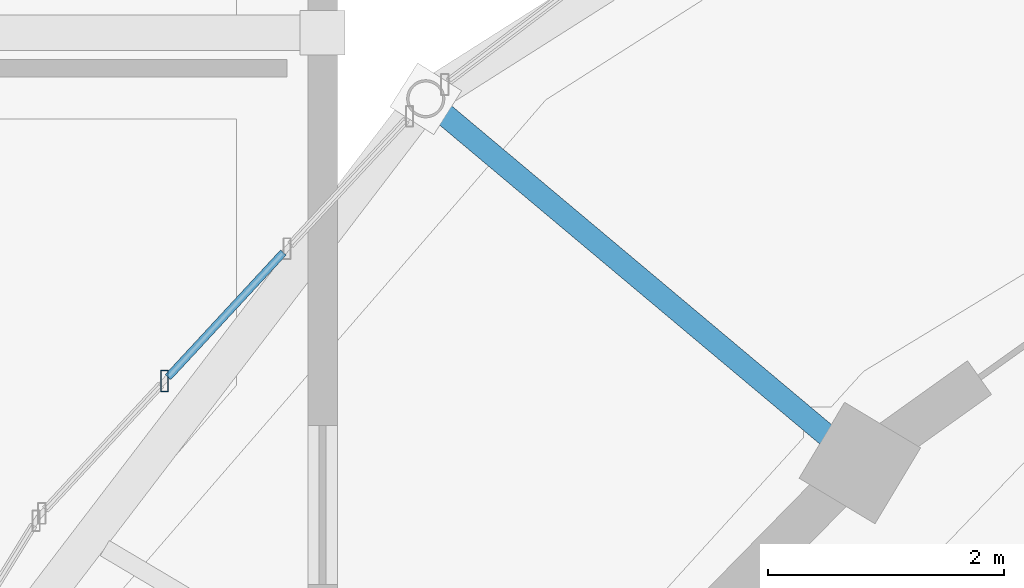
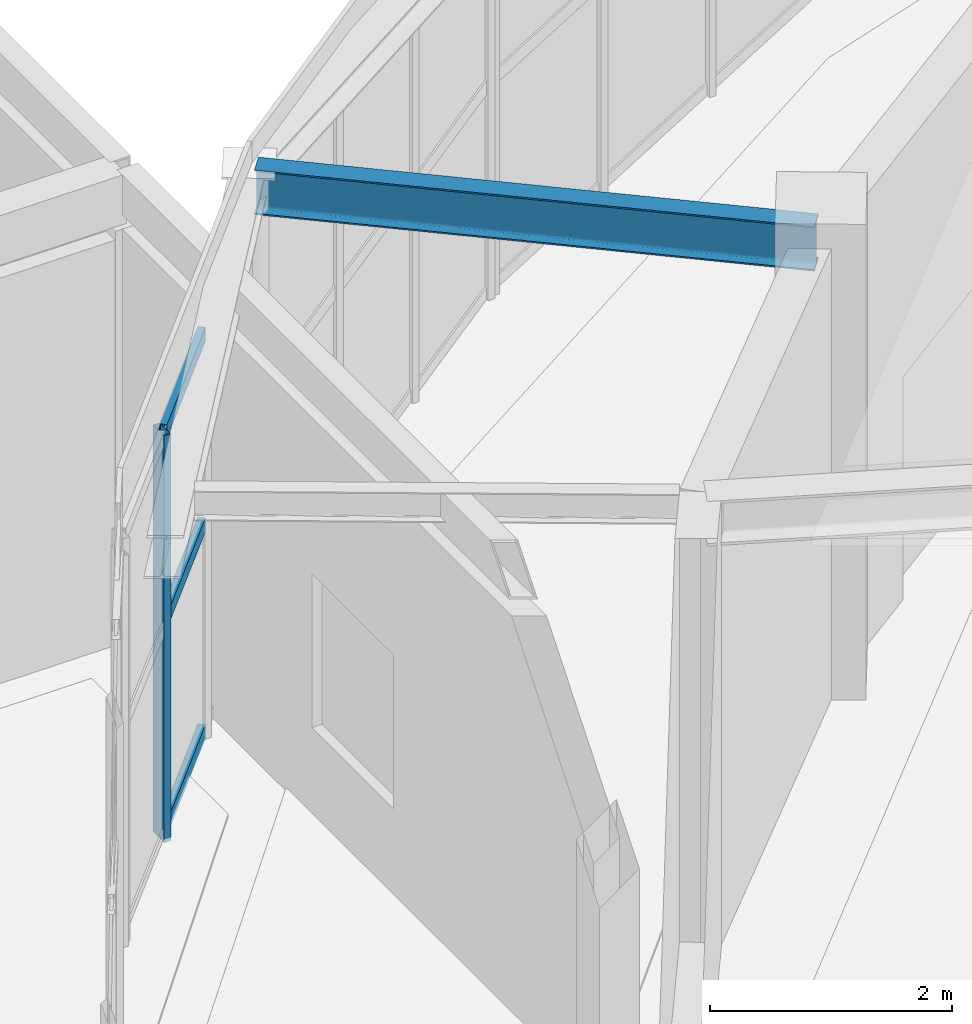
# One storey, part 36 of 108: 4 members, 1 beam, 1 element without a shape of its own.
"""IFC4 building model written with IfcOpenShell, lengths in metres."""

from ifc_helpers import new_model, si_unit, direction, frame, origin, origin_2d, place, context, subcontext, project, spatial, hollow_rectangle, i_section, extrude, material, material_profile, profile_set, type_object, element, aggregate, save


model = new_model("IFC4")

# Units and contexts
model_context = context("Model", 3, precision=1e-05, world=origin(), true_north=direction((0.0, 1.0)))
body_context = subcontext(model_context, "Body", "Model", "MODEL_VIEW")
ifc_project = project(units=[si_unit("LENGTHUNIT", "METRE"), si_unit("AREAUNIT", "SQUARE_METRE"), si_unit("VOLUMEUNIT", "CUBIC_METRE"), si_unit("PLANEANGLEUNIT", "RADIAN"), si_unit("MASSUNIT", "GRAM", prefix="KILO")], contexts=[model_context])

# Site, building, storey
site_placement = place(None, origin())
site = spatial("IfcSite", under=ifc_project, at=site_placement, CompositionType="ELEMENT")
building_placement = place(site_placement, origin())
building = spatial("IfcBuilding", under=site, at=building_placement, Name="Tarnveldt Headland Concert Hall", CompositionType="ELEMENT")
storey_placement = place(building_placement, frame((0.0, 0.0, 9.60009765625)))
storey = spatial("IfcBuildingStorey", under=building, at=storey_placement, Name="L02", CompositionType="ELEMENT", Elevation=9.60009765625)

# Curtain wall, member
ifc_material_1 = material(Name="Marine-anodised aluminium EN AW-6063-T6", Category="aluminium")
curtain_wall_type = type_object("IfcCurtainWallType", Name="CW-F3", PredefinedType="NOTDEFINED", material=ifc_material_1)
curtain_wall_placement = place(storey_placement, origin())
curtain_wall = element("IfcCurtainWall", 1, at=curtain_wall_placement, inside=storey, type_object=curtain_wall_type, Name="Curtain wall CW-L02-074", PredefinedType="NOTDEFINED")
ifc_material_profile_1 = material_profile(ifc_material_1, hollow_rectangle(XDim=0.06494140625, YDim=0.179931640625, WallThickness=0.00390625, at=origin_2d()), Name="ALU MULLION 65x180x4", Category="aluminium")
ifc_profile_set_1 = profile_set([ifc_material_profile_1], Name="Marine-anodised aluminium EN AW-6063-T6")
member_type_1 = type_object("IfcMemberType", Name="ML-180", PredefinedType="MULLION", material=ifc_profile_set_1)
member_1_placement = place(storey_placement, frame((56.159912109375, 68.050537109375, 0.0), z_axis=(0.0, 0.0, 1.0), x_axis=(1.0, 0.0, 0.0)))
member_1 = element("IfcMember", 2, at=member_1_placement, type_object=member_type_1, Name="Mullion CW-L02-074-3", PredefinedType="MULLION", context=body_context, shape_type="SweptSolid", body=[
    extrude(hollow_rectangle(XDim=0.06494140625, YDim=0.179931640625, WallThickness=0.00390625, at=origin_2d()), origin(), (0.0, 0.0, 1.0), 4.10791015625),
])

# Beam
ifc_material_2 = material(Name="Steel S355", Category="steel")
ifc_material_profile_2 = material_profile(ifc_material_2, i_section(OverallWidth=0.18994140625, OverallDepth=0.449951171875, WebThickness=0.009521484375, FlangeThickness=0.0146484375, FilletRadius=0.02099609375, at=origin_2d()), Name="IPE450", Category="steel")
ifc_profile_set_2 = profile_set([ifc_material_profile_2], Name="Steel S355")
beam_type = type_object("IfcBeamType", Name="SB-IPE450", PredefinedType="BEAM", material=ifc_profile_set_2)
beam_placement = place(storey_placement, frame((62.020263671875, 67.381591796875, 4.344970703125), z_axis=(-0.76607107782, 0.642755866351, 0.0), x_axis=(-0.642755866351, -0.76607107782, 0.0)))
element("IfcBeam", 3, at=beam_placement, inside=storey, type_object=beam_type, Name="Framing beam L02-1017", PredefinedType="BEAM", context=body_context, shape_type="SweptSolid", body=[
    extrude(i_section(OverallWidth=0.18994140625, OverallDepth=0.449951171875, WebThickness=0.009521484375, FlangeThickness=0.0146484375, FilletRadius=0.02099609375, at=origin_2d()), origin(), (0.0, 0.0, 1.0), 4.699951171875),
])

# Member
ifc_material_profile_3 = material_profile(ifc_material_1, hollow_rectangle(XDim=0.06494140625, YDim=0.139892578125, WallThickness=0.00390625, at=origin_2d()), Name="ALU TRANSOM 65x140x4", Category="aluminium")
ifc_profile_set_3 = profile_set([ifc_material_profile_3], Name="Marine-anodised aluminium EN AW-6063-T6")
member_type_2 = type_object("IfcMemberType", Name="TR-140", PredefinedType="MEMBER", material=ifc_profile_set_3)
member_2_placement = place(storey_placement, frame((57.16796875, 69.138916015625, 0.0498046875), z_axis=(-0.679526440449, -0.733651018353, 0.0), x_axis=(0.733651018353, -0.679526440449, 0.0)))
member_2 = element("IfcMember", 4, at=member_2_placement, type_object=member_type_2, Name="Transom CW-L02-074-2-1", PredefinedType="MEMBER", context=body_context, shape_type="SweptSolid", body=[
    extrude(hollow_rectangle(XDim=0.06494140625, YDim=0.139892578125, WallThickness=0.00390625, at=origin_2d()), origin(), (0.0, 0.0, 1.0), 1.43896484375),
])

member_3_placement = place(storey_placement, frame((57.16796875, 69.138916015625, 2.135986328125), z_axis=(-0.679526440449, -0.733651018353, 0.0), x_axis=(0.733651018353, -0.679526440449, 0.0)))
member_3 = element("IfcMember", 5, at=member_3_placement, type_object=member_type_2, Name="Transom CW-L02-074-2-2", PredefinedType="MEMBER", context=body_context, shape_type="SweptSolid", body=[
    extrude(hollow_rectangle(XDim=0.06494140625, YDim=0.139892578125, WallThickness=0.00390625, at=origin_2d()), origin(), (0.0, 0.0, 1.0), 1.43896484375),
])

member_4_placement = place(storey_placement, frame((57.16796875, 69.138916015625, 4.057861328125), z_axis=(-0.679526440449, -0.733651018353, 0.0), x_axis=(0.733651018353, -0.679526440449, 0.0)))
member_4 = element("IfcMember", 6, at=member_4_placement, type_object=member_type_2, Name="Transom CW-L02-074-2-3", PredefinedType="MEMBER", context=body_context, shape_type="SweptSolid", body=[
    extrude(hollow_rectangle(XDim=0.06494140625, YDim=0.139892578125, WallThickness=0.00390625, at=origin_2d()), origin(), (0.0, 0.0, 1.0), 1.43896484375),
])

aggregate(curtain_wall, [member_1, member_2, member_3, member_4])

save(model, "model.ifc")
